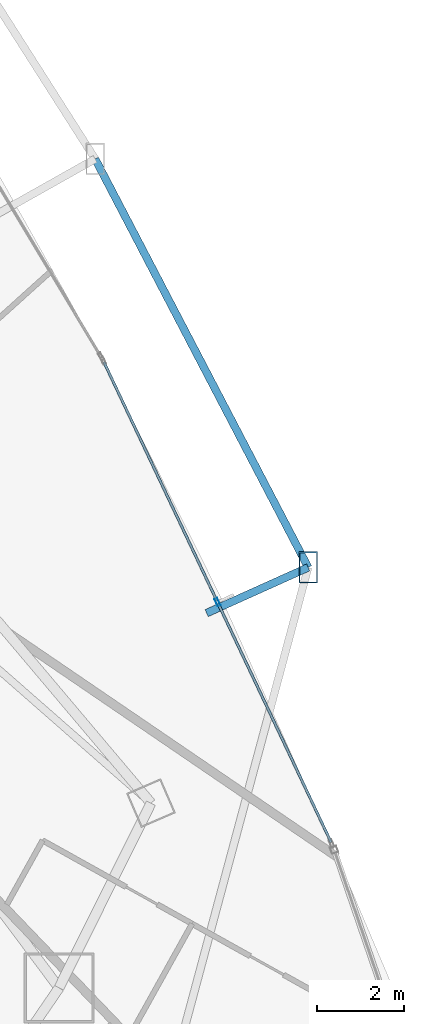
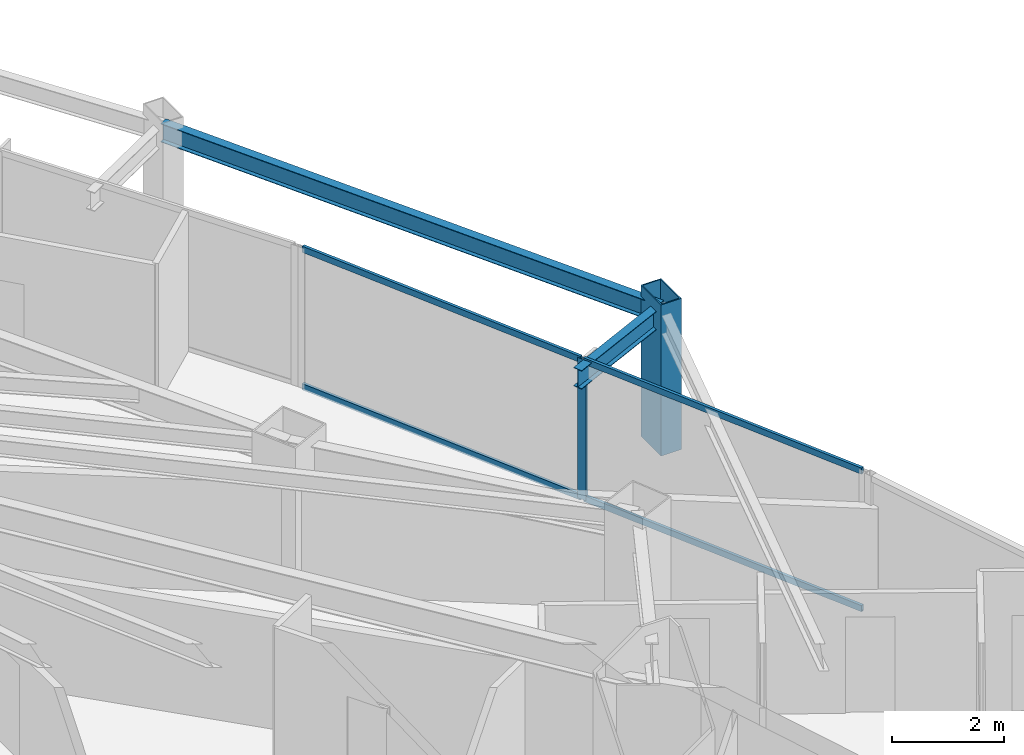
# One storey, part 19 of 34: 6 members, 2 beams, 1 element without a shape of its own.
"""IFC4 building model written with IfcOpenShell, lengths in metres."""

from ifc_helpers import new_model, si_unit, direction, frame, origin, origin_2d, place, context, subcontext, project, spatial, hollow_rectangle, i_section, extrude, material, layer, layer_set, material_profile, profile_set, type_object, element, aggregate, save


model = new_model("IFC4")

# Units and contexts
model_context = context("Model", 3, precision=1e-05, world=origin(), true_north=direction((0.0, 1.0)))
body_context = subcontext(model_context, "Body", "Model", "MODEL_VIEW")
ifc_project = project(units=[si_unit("LENGTHUNIT", "METRE"), si_unit("AREAUNIT", "SQUARE_METRE"), si_unit("VOLUMEUNIT", "CUBIC_METRE"), si_unit("PLANEANGLEUNIT", "RADIAN"), si_unit("MASSUNIT", "GRAM", prefix="KILO")], contexts=[model_context])

# Site, building, storey
site_placement = place(None, origin())
site = spatial("IfcSite", under=ifc_project, at=site_placement, CompositionType="ELEMENT")
building_placement = place(site_placement, origin())
building = spatial("IfcBuilding", under=site, at=building_placement, Name="Orvanel Arch Residences", CompositionType="ELEMENT")
storey_placement = place(building_placement, frame((0.0, 0.0, 77.449951171875)))
storey = spatial("IfcBuildingStorey", under=building, at=storey_placement, Name="L21", CompositionType="ELEMENT", Elevation=77.449951171875)

# Member
ifc_material_1 = material(Name="Structural steel AS/NZS 3678 Grade 350", Category="steel")
ifc_material_profile_1 = material_profile(ifc_material_1, hollow_rectangle(XDim=0.419921875, YDim=0.719970703125, WallThickness=0.02490234375, at=origin_2d()), Name="RHS720x420x25")
ifc_profile_set_1 = profile_set([ifc_material_profile_1], Name="Structural steel AS/NZS 3678 Grade 350")
member_type_1 = type_object("IfcMemberType", Name="CH-720RHS-EXT", PredefinedType="CHORD", material=ifc_profile_set_1)
member_1_placement = place(storey_placement, frame((57.50390625, 19.97509765625, 0.0), z_axis=(0.0, 0.0, 1.0), x_axis=(1.0, 0.0, 0.0)))
element("IfcMember", 1, at=member_1_placement, inside=storey, type_object=member_type_1, Name="L21 Outer Perimeter Frame Post 09", PredefinedType="CHORD", context=body_context, shape_type="SweptSolid", body=[
    extrude(hollow_rectangle(XDim=0.419921875, YDim=0.719970703125, WallThickness=0.02490234375, at=origin_2d()), origin(), (0.0, 0.0, 1.0), 3.300048828125),
])

# Curtain wall, member
ifc_material_2 = material(Name="Bronze-anodised aluminium AA6063-T6", Category="aluminium")
ifc_layer = layer(ifc_material_2, 0.179931640625)
ifc_layer_set = layer_set([ifc_layer], Name="Bronze-anodised aluminium AA6063-T6")
curtain_wall_type = type_object("IfcCurtainWallType", Name="CW2-LOW-SYS", PredefinedType="NOTDEFINED", material=ifc_layer_set)
curtain_wall_placement = place(storey_placement, origin())
curtain_wall = element("IfcCurtainWall", 2, at=curtain_wall_placement, inside=storey, type_object=curtain_wall_type, Name="L21 CW2-LOW-SYS Unitised Curtain Wall", PredefinedType="NOTDEFINED")
ifc_material_profile_2 = material_profile(ifc_material_2, hollow_rectangle(XDim=0.070068359375, YDim=0.179931640625, WallThickness=0.00439453125, at=origin_2d()), Name="ALU180x70x4.5")
ifc_profile_set_2 = profile_set([ifc_material_profile_2], Name="Bronze-anodised aluminium AA6063-T6")
member_type_2 = type_object("IfcMemberType", Name="MUL-180x70", PredefinedType="MULLION", material=ifc_profile_set_2)
member_2_placement = place(storey_placement, frame((55.428466796875, 19.178955078125, 0.0), z_axis=(0.0, 0.0, 1.0), x_axis=(-0.903971140213, -0.427593472426, 0.0)))
member_2 = element("IfcMember", 3, at=member_2_placement, type_object=member_type_2, Name="CW-S2 mullion 2", PredefinedType="MULLION", context=body_context, shape_type="SweptSolid", body=[
    extrude(hollow_rectangle(XDim=0.070068359375, YDim=0.179931640625, WallThickness=0.00439453125, at=origin_2d()), origin(), (0.0, 0.0, 1.0), 3.06005859375),
])

# Beams
ifc_material_3 = material(Name="Structural steel AS/NZS 3679.1 Grade 300 (300 MPa)", Category="steel")
ifc_material_profile_3 = material_profile(ifc_material_3, i_section(OverallWidth=0.177978515625, OverallDepth=0.406005859375, WebThickness=0.0078125, FlangeThickness=0.0126953125, at=origin_2d()), Name="410UB59.7")
ifc_profile_set_3 = profile_set([ifc_material_profile_3], Name="Structural steel AS/NZS 3679.1 Grade 300 (300 MPa)")
beam_type = type_object("IfcBeamType", Name="OB-410UB-EXT", PredefinedType="SPANDREL", material=ifc_profile_set_3)
beam_1_placement = place(storey_placement, frame((55.178955078125, 18.928955078125, 2.85693359375), z_axis=(0.911934047278, 0.41033680485, 0.0), x_axis=(-0.41033680485, 0.911934047278, 0.0)))
element("IfcBeam", 4, at=beam_1_placement, inside=storey, type_object=beam_type, Name="L21 Outer Frame Radial Tie Beam 09", PredefinedType="SPANDREL", context=body_context, shape_type="SweptSolid", body=[
    extrude(i_section(OverallWidth=0.177978515625, OverallDepth=0.406005859375, WebThickness=0.0078125, FlangeThickness=0.0126953125, at=origin_2d()), origin(), (0.0, 0.0, 1.0), 2.549560546875),
])
beam_2_placement = place(storey_placement, frame((57.50390625, 19.97509765625, 2.85693359375), z_axis=(-0.462401419994, 0.886670698054, 0.0), x_axis=(-0.886670698054, -0.462401419994, 0.0)))
element("IfcBeam", 5, at=beam_2_placement, inside=storey, type_object=beam_type, Name="L21 Outer Perimeter Floor Ring Beam 09", PredefinedType="SPANDREL", context=body_context, shape_type="SweptSolid", body=[
    extrude(i_section(OverallWidth=0.177978515625, OverallDepth=0.406005859375, WebThickness=0.0078125, FlangeThickness=0.0126953125, at=origin_2d()), origin(), (0.0, 0.0, 1.0), 10.544921875),
])

# Member
ifc_material_profile_4 = material_profile(ifc_material_2, hollow_rectangle(XDim=0.06005859375, YDim=0.135009765625, WallThickness=0.00390625, at=origin_2d()), Name="ALU135x60x4")
ifc_profile_set_4 = profile_set([ifc_material_profile_4], Name="Bronze-anodised aluminium AA6063-T6")
member_type_3 = type_object("IfcMemberType", Name="TRN-135x60", PredefinedType="USERDEFINED", material=ifc_profile_set_4)
member_3_placement = place(storey_placement, frame((58.028076171875, 13.683349609375, 0.030029296875), z_axis=(-0.427607089429, 0.903964699018, 0.0), x_axis=(-0.903964699018, -0.427607089429, 0.0)))
member_3 = element("IfcMember", 6, at=member_3_placement, type_object=member_type_3, Name="CW-S2 transom 1.1", ObjectType="TRANSOM", PredefinedType="USERDEFINED", context=body_context, shape_type="SweptSolid", body=[
    extrude(hollow_rectangle(XDim=0.06005859375, YDim=0.135009765625, WallThickness=0.00390625, at=origin_2d()), origin(), (0.0, 0.0, 1.0), 6.044677734375),
])

member_4_placement = place(storey_placement, frame((58.028076171875, 13.683349609375, 3.030029296875), z_axis=(-0.427607089429, 0.903964699018, 0.0), x_axis=(-0.903964699018, -0.427607089429, 0.0)))
member_4 = element("IfcMember", 7, at=member_4_placement, type_object=member_type_3, Name="CW-S2 transom 1.2", ObjectType="TRANSOM", PredefinedType="USERDEFINED", context=body_context, shape_type="SweptSolid", body=[
    extrude(hollow_rectangle(XDim=0.06005859375, YDim=0.135009765625, WallThickness=0.00390625, at=origin_2d()), origin(), (0.0, 0.0, 1.0), 6.044677734375),
])

member_5_placement = place(storey_placement, frame((55.41357421875, 19.210693359375, 0.030029296875), z_axis=(-0.427607089429, 0.903964699018, 0.0), x_axis=(-0.903964699018, -0.427607089429, 0.0)))
member_5 = element("IfcMember", 8, at=member_5_placement, type_object=member_type_3, Name="CW-S2 transom 2.1", ObjectType="TRANSOM", PredefinedType="USERDEFINED", context=body_context, shape_type="SweptSolid", body=[
    extrude(hollow_rectangle(XDim=0.06005859375, YDim=0.135009765625, WallThickness=0.00390625, at=origin_2d()), origin(), (0.0, 0.0, 1.0), 6.044677734375),
])

member_6_placement = place(storey_placement, frame((55.41357421875, 19.210693359375, 3.030029296875), z_axis=(-0.427607089429, 0.903964699018, 0.0), x_axis=(-0.903964699018, -0.427607089429, 0.0)))
member_6 = element("IfcMember", 9, at=member_6_placement, type_object=member_type_3, Name="CW-S2 transom 2.2", ObjectType="TRANSOM", PredefinedType="USERDEFINED", context=body_context, shape_type="SweptSolid", body=[
    extrude(hollow_rectangle(XDim=0.06005859375, YDim=0.135009765625, WallThickness=0.00390625, at=origin_2d()), origin(), (0.0, 0.0, 1.0), 6.044677734375),
])

aggregate(curtain_wall, [member_2, member_3, member_4, member_5, member_6])

save(model, "model.ifc")
